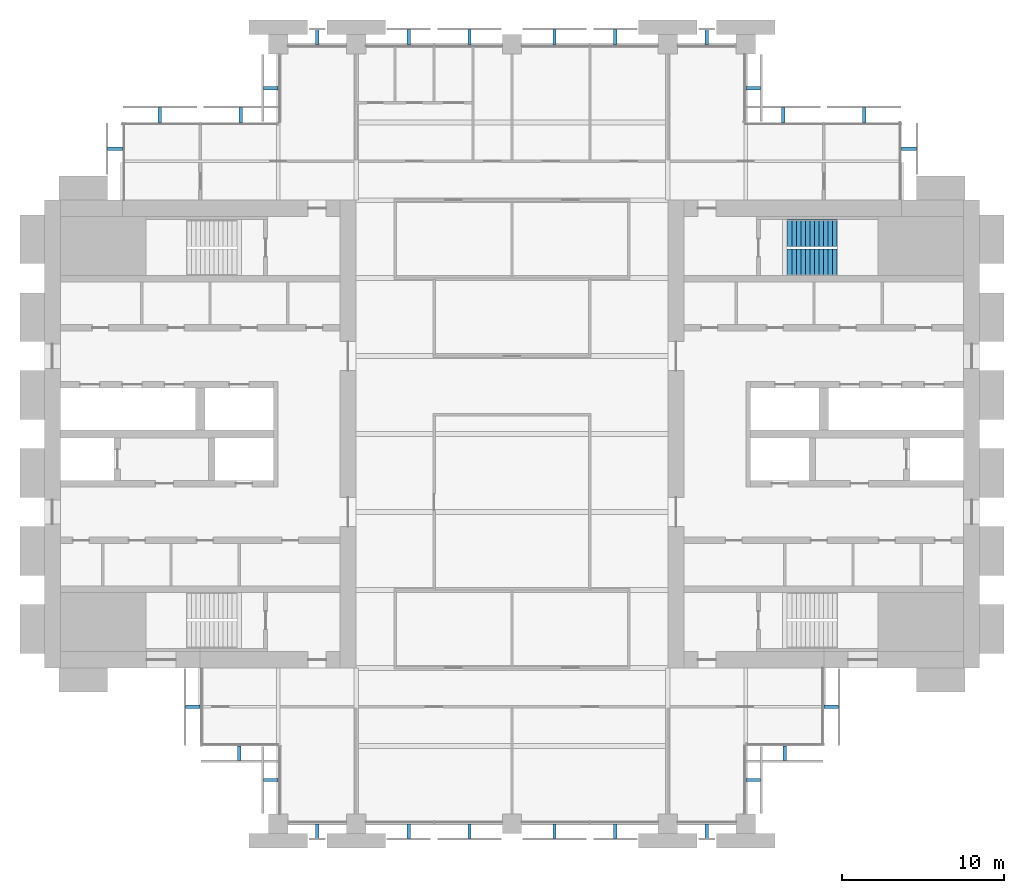
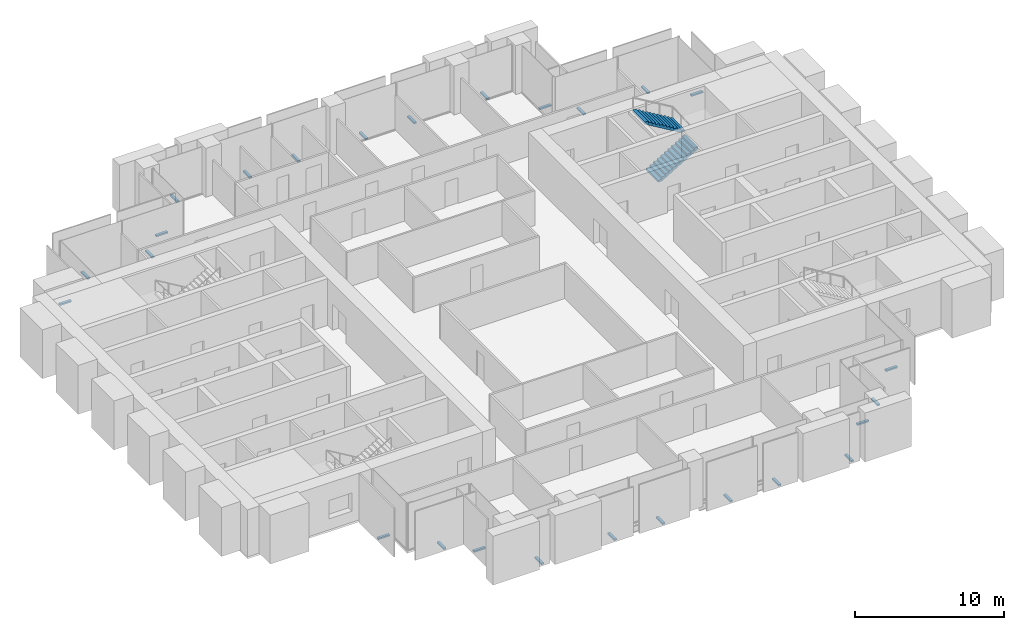
# One storey, part 13 of 14: 26 discrete accessories, 2 stair flights, 1 element without a shape of its own.
"""IFC4 building model written with IfcOpenShell, lengths in metres."""

from ifc_helpers import new_model, si_unit, direction, frame, origin, origin_2d, place, context, subcontext, project, spatial, polyline, rectangle, outline, extrude, material, type_object, element, aggregate, save


model = new_model("IFC4")

# Units and contexts
model_context = context("Model", 3, precision=1e-05, world=origin(), true_north=direction((0.0, 1.0)))
body_context = subcontext(model_context, "Body", "Model", "MODEL_VIEW")
ifc_project = project(units=[si_unit("LENGTHUNIT", "METRE"), si_unit("AREAUNIT", "SQUARE_METRE"), si_unit("VOLUMEUNIT", "CUBIC_METRE"), si_unit("PLANEANGLEUNIT", "RADIAN"), si_unit("MASSUNIT", "GRAM", prefix="KILO")], contexts=[model_context])

# Site, building, storey
site_placement = place(None, origin())
site = spatial("IfcSite", under=ifc_project, at=site_placement, CompositionType="ELEMENT")
building_placement = place(site_placement, origin())
building = spatial("IfcBuilding", under=site, at=building_placement, Name="Baori Bourse Tower", CompositionType="ELEMENT")
storey_placement = place(building_placement, frame((0.0, 0.0, 136.10009765625)))
storey = spatial("IfcBuildingStorey", under=building, at=storey_placement, Name="L29", CompositionType="ELEMENT", Elevation=136.10009765625)

# Stair, stair flights
ifc_material_1 = material(Name="Concrete f'c 50 MPa", Category="concrete")
stair_type = type_object("IfcStairType", Name="Core stair", PredefinedType="HALF_TURN_STAIR", material=ifc_material_1)
stair_placement = place(storey_placement, origin())
stair = element("IfcStair", 1, at=stair_placement, inside=storey, type_object=stair_type, Name="L29 Stair EB", PredefinedType="HALF_TURN_STAIR")
ifc_material_2 = material(Name="Concrete f'c 50 MPa", Category="concrete")
stair_flight_type = type_object("IfcStairFlightType", Name="Core stair flight", PredefinedType="STRAIGHT", material=ifc_material_2)
stair_flight_1_placement = place(storey_placement, frame((45.75, 34.574951171875, 0.0), z_axis=(0.0, 0.0, 1.0), x_axis=(1.0, 0.0, 0.0)))
stair_flight_1 = element("IfcStairFlight", 2, at=stair_flight_1_placement, type_object=stair_flight_type, Name="ST4 flight 1", NumberOfRisers=12, NumberOfTreads=11, PredefinedType="STRAIGHT", RiserHeight=0.166666667, TreadLength=0.28, context=body_context, shape_type="SweptSolid", body=[
    extrude(outline(polyline([(0.0, 0.0), (0.0, 0.166748046875), (0.280029296875, 0.166748046875), (0.280029296875, 0.333251953125), (0.56005859375, 0.333251953125), (0.56005859375, 0.5), (0.840087890625, 0.5), (0.840087890625, 0.666748046875), (1.1201171875, 0.666748046875), (1.1201171875, 0.833251953125), (1.39990234375, 0.833251953125), (1.39990234375, 1.0), (1.679931640625, 1.0), (1.679931640625, 1.166748046875), (1.9599609375, 1.166748046875), (1.9599609375, 1.333251953125), (2.239990234375, 1.333251953125), (2.239990234375, 1.5), (2.52001953125, 1.5), (2.52001953125, 1.666748046875), (2.800048828125, 1.666748046875), (2.800048828125, 1.833251953125), (3.080078125, 1.833251953125), (3.080078125, 2.0), (3.080078125, 1.658935546875), (0.29296875, 0.0), (0.0, 0.0)])), frame((0.0, 0.824951171875, 0.0), z_axis=(0.0, -1.0, 0.0), x_axis=(1.0, 0.0, 0.0)), (0.0, 0.0, 1.0), 1.64990234375),
])
stair_flight_2_placement = place(storey_placement, frame((48.830078125, 36.375, 2.0), z_axis=(0.0, 0.0, 1.0), x_axis=(-1.0, 0.0, 0.0)))
stair_flight_2 = element("IfcStairFlight", 3, at=stair_flight_2_placement, type_object=stair_flight_type, Name="ST4 flight 2", NumberOfRisers=12, NumberOfTreads=11, PredefinedType="STRAIGHT", RiserHeight=0.166666667, TreadLength=0.28, context=body_context, shape_type="SweptSolid", body=[
    extrude(outline(polyline([(0.0, 0.0), (0.0, 0.166748046875), (0.280029296875, 0.166748046875), (0.280029296875, 0.333251953125), (0.56005859375, 0.333251953125), (0.56005859375, 0.5), (0.840087890625, 0.5), (0.840087890625, 0.666748046875), (1.1201171875, 0.666748046875), (1.1201171875, 0.833251953125), (1.39990234375, 0.833251953125), (1.39990234375, 1.0), (1.679931640625, 1.0), (1.679931640625, 1.166748046875), (1.9599609375, 1.166748046875), (1.9599609375, 1.333251953125), (2.239990234375, 1.333251953125), (2.239990234375, 1.5), (2.52001953125, 1.5), (2.52001953125, 1.666748046875), (2.800048828125, 1.666748046875), (2.800048828125, 1.833251953125), (3.080078125, 1.833251953125), (3.080078125, 2.0), (3.080078125, 1.658935546875), (0.29296875, 0.0), (0.0, 0.0)])), frame((0.0, 0.824951171875, 0.0), z_axis=(0.0, -1.0, 0.0), x_axis=(1.0, 0.0, 0.0)), (0.0, 0.0, 1.0), 1.64990234375),
])
aggregate(stair, [stair_flight_1, stair_flight_2])

# Discrete accessories
ifc_material_3 = material(Name="Pale anodised aluminium", Category="aluminium")
discrete_accessory_type = type_object("IfcDiscreteAccessoryType", Name="OS2 Outer skin bracket", PredefinedType="BRACKET", material=ifc_material_3)
for number, where, z_axis, x_axis, name in (
    (4, (53.25, 41.574951171875, -0.14404296875), (0.0, 0.0, 1.0), (0.0, 1.0, 0.0), "Outer skin bracket L29 1"),
    (5, (50.487548828125, 43.64990234375, -0.14404296875), (0.0, 0.0, 1.0), (-1.0, 0.0, 0.0), "Outer skin bracket L29 2"),
    (6, (45.512451171875, 43.64990234375, -0.14404296875), (0.0, 0.0, 1.0), (-1.0, 0.0, 0.0), "Outer skin bracket L29 3"),
    (7, (43.64990234375, 45.300048828125, -0.14404296875), (0.0, 0.0, 1.0), (0.0, 1.0, 0.0), "Outer skin bracket L29 4"),
    (8, (40.800048828125, 48.449951171875, -0.14404296875), (0.0, 0.0, 1.0), (-1.0, 0.0, 0.0), "Outer skin bracket L29 5"),
    (9, (35.16259765625, 48.449951171875, -0.14404296875), (0.0, 0.0, 1.0), (-1.0, 0.0, 0.0), "Outer skin bracket L29 6"),
    (10, (31.41259765625, 48.449951171875, -0.14404296875), (0.0, 0.0, 1.0), (-1.0, 0.0, 0.0), "Outer skin bracket L29 7"),
    (11, (26.1875, 48.449951171875, -0.14404296875), (0.0, 0.0, 1.0), (-1.0, 0.0, 0.0), "Outer skin bracket L29 8"),
    (12, (22.4375, 48.449951171875, -0.14404296875), (0.0, 0.0, 1.0), (-1.0, 0.0, 0.0), "Outer skin bracket L29 9"),
    (13, (16.800048828125, 48.449951171875, -0.14404296875), (0.0, 0.0, 1.0), (-1.0, 0.0, 0.0), "Outer skin bracket L29 10"),
    (14, (13.949951171875, 45.300048828125, -0.14404296875), (0.0, 0.0, 1.0), (0.0, -1.0, 0.0), "Outer skin bracket L29 11"),
    (15, (12.08740234375, 43.64990234375, -0.14404296875), (0.0, 0.0, 1.0), (-1.0, 0.0, 0.0), "Outer skin bracket L29 12"),
    (16, (7.112548828125, 43.64990234375, -0.14404296875), (0.0, 0.0, 1.0), (-1.0, 0.0, 0.0), "Outer skin bracket L29 13"),
    (17, (4.35009765625, 41.574951171875, -0.14404296875), (0.0, 0.0, 1.0), (0.0, -1.0, 0.0), "Outer skin bracket L29 14"),
    (18, (9.14990234375, 7.199951171875, -0.14404296875), (0.0, 0.0, 1.0), (0.0, -1.0, 0.0), "Outer skin bracket L29 15"),
    (19, (12.0, 4.35009765625, -0.14404296875), (0.0, 0.0, 1.0), (1.0, 0.0, 0.0), "Outer skin bracket L29 16"),
    (20, (13.949951171875, 2.699951171875, -0.14404296875), (0.0, 0.0, 1.0), (0.0, -1.0, 0.0), "Outer skin bracket L29 17"),
    (21, (16.800048828125, -0.449951171875, -0.14404296875), (0.0, 0.0, 1.0), (1.0, 0.0, 0.0), "Outer skin bracket L29 18"),
    (22, (22.4375, -0.449951171875, -0.14404296875), (0.0, 0.0, 1.0), (1.0, 0.0, 0.0), "Outer skin bracket L29 19"),
    (23, (26.1875, -0.449951171875, -0.14404296875), (0.0, 0.0, 1.0), (1.0, 0.0, 0.0), "Outer skin bracket L29 20"),
    (24, (31.41259765625, -0.449951171875, -0.14404296875), (0.0, 0.0, 1.0), (1.0, 0.0, 0.0), "Outer skin bracket L29 21"),
    (25, (35.16259765625, -0.449951171875, -0.14404296875), (0.0, 0.0, 1.0), (1.0, 0.0, 0.0), "Outer skin bracket L29 22"),
    (26, (40.800048828125, -0.449951171875, -0.14404296875), (0.0, 0.0, 1.0), (1.0, 0.0, 0.0), "Outer skin bracket L29 23"),
    (27, (43.64990234375, 2.699951171875, -0.14404296875), (0.0, 0.0, 1.0), (0.0, 1.0, 0.0), "Outer skin bracket L29 24"),
    (28, (45.60009765625, 4.35009765625, -0.14404296875), (0.0, 0.0, 1.0), (1.0, 0.0, 0.0), "Outer skin bracket L29 25"),
    (29, (48.449951171875, 7.199951171875, -0.14404296875), (0.0, 0.0, 1.0), (0.0, 1.0, 0.0), "Outer skin bracket L29 26"),
):
    element("IfcDiscreteAccessory", number, at=place(storey_placement, frame(where, z_axis=z_axis, x_axis=x_axis)), inside=storey, type_object=discrete_accessory_type, Name=name, PredefinedType="BRACKET", context=body_context, shape_type="SweptSolid", body=[
        extrude(rectangle(XDim=0.199951171875, YDim=0.89990234375, at=origin_2d()), origin(), (0.0, 0.0, 1.0), 0.1279296875),
    ])

save(model, "model.ifc")
